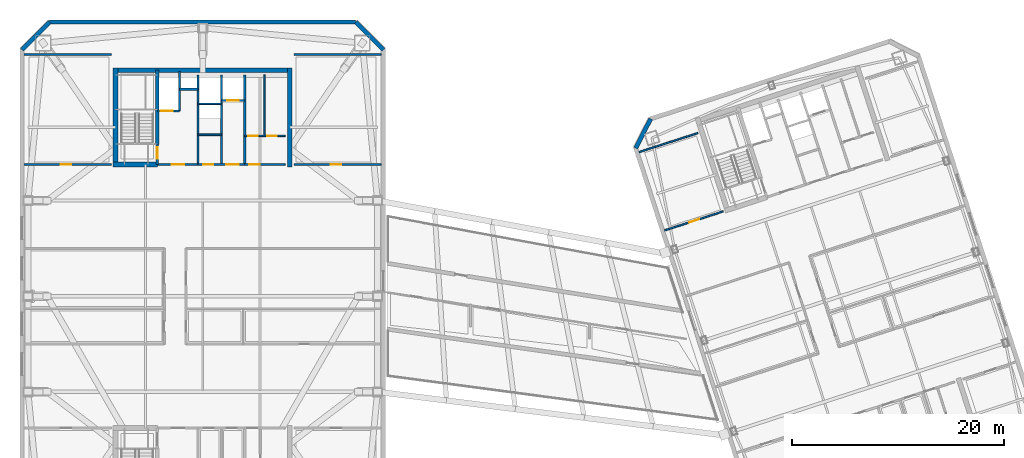
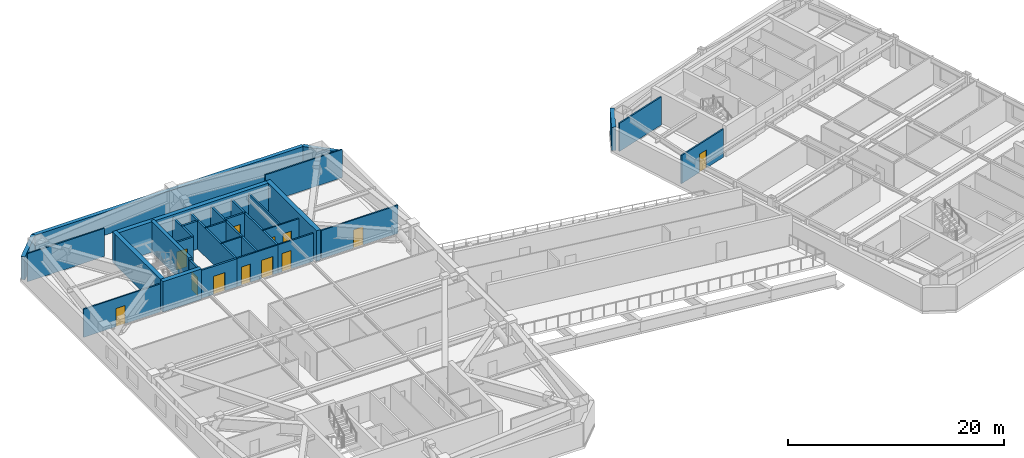
# One storey, part 8 of 18: 30 walls, 12 doors, 12 openings.
"""IFC4 building model written with IfcOpenShell, lengths in metres."""

from ifc_helpers import new_model, si_unit, direction, frame, frame_2d, origin, place, context, subcontext, project, spatial, rectangle, extrude, material, layer, layer_set, type_object, element, fill, save


model = new_model("IFC4")

# Units and contexts
model_context = context("Model", 3, precision=1e-05, world=origin(), true_north=direction((0.0, 1.0)))
body_context = subcontext(model_context, "Body", "Model", "MODEL_VIEW")
ifc_project = project(units=[si_unit("LENGTHUNIT", "METRE"), si_unit("AREAUNIT", "SQUARE_METRE"), si_unit("VOLUMEUNIT", "CUBIC_METRE"), si_unit("PLANEANGLEUNIT", "RADIAN"), si_unit("MASSUNIT", "GRAM", prefix="KILO")], contexts=[model_context])

# Site, building, storey
site_placement = place(None, origin())
site = spatial("IfcSite", under=ifc_project, at=site_placement, CompositionType="ELEMENT")
building_placement = place(site_placement, origin())
building = spatial("IfcBuilding", under=site, at=building_placement, Name="Qiaolan Cultural Towers", CompositionType="ELEMENT")
storey_placement = place(building_placement, frame((0.0, 0.0, 219.64990234375)))
storey = spatial("IfcBuildingStorey", under=building, at=storey_placement, Name="L59", CompositionType="ELEMENT", Elevation=219.64990234375)

# Walls
ifc_material_1 = material(Name="Concrete C50", Category="concrete")
ifc_layer_1 = layer(ifc_material_1, 0.35009765625)
ifc_layer_set_1 = layer_set([ifc_layer_1], Name="Concrete C50")
wall_type_1 = type_object("IfcWallType", Name="WL-CORE-350", PredefinedType="SHEAR", material=ifc_layer_set_1)
wall_1_placement = place(storey_placement, frame((25.719970703125, 48.300048828125, 0.0), z_axis=(0.0, 0.0, 1.0), x_axis=(0.0, 1.0, 0.0)))
element("IfcWall", 1, at=wall_1_placement, inside=storey, type_object=wall_type_1, Name="L59 T1-CN Stair Core Dividing Web", PredefinedType="SHEAR", context=body_context, shape_type="SweptSolid", body=[
    extrude(rectangle(XDim=6.97998046875, YDim=0.35009765625, at=frame_2d((3.489990234375, 0.0))), origin(), (0.0, 0.0, 1.0), 3.4501953125),
])
ifc_material_2 = material(Name="Concrete C50", Category="concrete")
ifc_layer_2 = layer(ifc_material_2, 0.449951171875)
ifc_layer_set_2 = layer_set([ifc_layer_2], Name="Concrete C50")
wall_type_2 = type_object("IfcWallType", Name="WL-CORE-450", PredefinedType="SHEAR", material=ifc_layer_set_2)
wall_2_placement = place(storey_placement, frame((21.574951171875, 55.280029296875, 0.0), z_axis=(0.0, 0.0, 1.0), x_axis=(1.0, 0.0, 0.0)))
element("IfcWall", 2, at=wall_2_placement, inside=storey, type_object=wall_type_2, Name="L59 T1-CN Outer Core Shear Wall", PredefinedType="SHEAR", context=body_context, shape_type="SweptSolid", body=[
    extrude(rectangle(XDim=16.85009765625, YDim=0.449951171875, at=frame_2d((8.425048828125, 0.0))), origin(), (0.0, 0.0, 1.0), 3.4501953125),
])
for number, where, z_axis, x_axis, name in (
    (3, (21.800048828125, 46.175048828125, 0.0), (0.0, 0.0, 1.0), (0.0, 1.0, 0.0), "L59 T1-CN West Core Shear Wall"),
    (4, (38.199951171875, 46.175048828125, 0.0), (0.0, 0.0, 1.0), (0.0, 1.0, 0.0), "L59 T1-CN East Core Shear Wall"),
):
    element("IfcWall", number, at=place(storey_placement, frame(where, z_axis=z_axis, x_axis=x_axis)), inside=storey, type_object=wall_type_2, Name=name, PredefinedType="SHEAR", context=body_context, shape_type="SweptSolid", body=[
        extrude(rectangle(XDim=9.329833984375, YDim=0.449951171875, at=frame_2d((4.6650390625, 0.0))), origin(), (0.0, 0.0, 1.0), 3.4501953125),
    ])
wall_3_placement = place(storey_placement, frame((21.574951171875, 46.39990234375, 0.0), z_axis=(0.0, 0.0, 1.0), x_axis=(1.0, 0.0, 0.0)))
element("IfcWall", 5, at=wall_3_placement, inside=storey, type_object=wall_type_2, Name="L59 T1-CN Stair Front Shear Wall", PredefinedType="SHEAR", context=body_context, shape_type="SweptSolid", body=[
    extrude(rectangle(XDim=4.14501953125, YDim=0.449951171875, at=frame_2d((2.072509765625, 0.0))), origin(), (0.0, 0.0, 1.0), 3.4501953125),
])
ifc_material_3 = material(Name="Precast Concrete C50 Honed Stone Pier", Category="masonry")
ifc_layer_3 = layer(ifc_material_3, 0.39990234375)
ifc_layer_set_3 = layer_set([ifc_layer_3], Name="Precast Concrete C50 Honed Stone Pier")
wall_type_3 = type_object("IfcWallType", Name="WL-EXT-PIER-400", PredefinedType="SOLIDWALL", material=ifc_layer_set_3)
wall_4_placement = place(storey_placement, frame((13.0, 57.199951171875, 0.0), z_axis=(0.0, 0.0, 1.0), x_axis=(0.707106781187, 0.707106781187, 0.0)))
element("IfcWall", 6, at=wall_4_placement, inside=storey, type_object=wall_type_3, Name="L59 West Tower Precast Pier Facade Wall F2", PredefinedType="SOLIDWALL", context=body_context, shape_type="SweptSolid", body=[
    extrude(rectangle(XDim=3.677001953125, YDim=0.39990234375, at=frame_2d((1.83837890625, 0.0))), origin(), (0.0, 0.0, 1.0), 2.610107421875),
])
wall_5_placement = place(storey_placement, frame((15.60009765625, 59.800048828125, 0.0), z_axis=(0.0, 0.0, 1.0), x_axis=(1.0, 0.0, 0.0)))
element("IfcWall", 7, at=wall_5_placement, inside=storey, type_object=wall_type_3, Name="L59 West Tower Precast Pier Facade Wall F3", PredefinedType="SOLIDWALL", context=body_context, shape_type="SweptSolid", body=[
    extrude(rectangle(XDim=28.7998046875, YDim=0.39990234375, at=frame_2d((14.39990234375, 0.0))), origin(), (0.0, 0.0, 1.0), 2.610107421875),
])
wall_6_placement = place(storey_placement, frame((44.39990234375, 59.800048828125, 0.0), z_axis=(0.0, 0.0, 1.0), x_axis=(0.707106781187, -0.707106781187, 0.0)))
element("IfcWall", 8, at=wall_6_placement, inside=storey, type_object=wall_type_3, Name="L59 West Tower Precast Pier Facade Wall F4", PredefinedType="SOLIDWALL", context=body_context, shape_type="SweptSolid", body=[
    extrude(rectangle(XDim=3.677001953125, YDim=0.39990234375, at=frame_2d((1.83837890625, 0.0))), origin(), (0.0, 0.0, 1.0), 2.610107421875),
])
wall_7_placement = place(storey_placement, frame((70.752197265625, 47.93408203125, 0.0), z_axis=(0.0, 0.0, 1.0), x_axis=(0.453949291228, 0.891027519774, 0.0)))
element("IfcWall", 9, at=wall_7_placement, inside=storey, type_object=wall_type_3, Name="L59 East Tower Precast Pier Facade Wall F2", PredefinedType="SOLIDWALL", context=body_context, shape_type="SweptSolid", body=[
    extrude(rectangle(XDim=3.111328125, YDim=0.39990234375, at=frame_2d((1.5556640625, 0.0))), origin(), (0.0, 0.0, 1.0), 2.610107421875),
])

# Wall, opening, door
ifc_material_4 = material(Name="Concrete C35 Fire Wall", Category="concrete")
ifc_layer_4 = layer(ifc_material_4, 0.199951171875)
ifc_layer_set_4 = layer_set([ifc_layer_4], Name="Concrete C35 Fire Wall")
wall_type_4 = type_object("IfcWallType", Name="WL-FIRE-200", PredefinedType="PARTITIONING", material=ifc_layer_set_4)
wall_8_placement = place(storey_placement, frame((25.719970703125, 46.39990234375, 0.0), z_axis=(0.0, 0.0, 1.0), x_axis=(0.0, 1.0, 0.0)))
wall_8 = element("IfcWall", 10, at=wall_8_placement, inside=storey, type_object=wall_type_4, Name="L59 T1-CN Smokeproof Stair Entry Wall", PredefinedType="PARTITIONING", context=body_context, shape_type="SweptSolid", body=[
    extrude(rectangle(XDim=1.900146484375, YDim=0.199951171875, at=frame_2d((0.9501953125, 0.0))), origin(), (0.0, 0.0, 1.0), 3.175048828125),
])
opening_1_placement = place(wall_8_placement, frame((0.52001953125, 0.0, 0.0)))
opening_1 = element("IfcOpeningElement", 11, at=opening_1_placement, cuts=wall_8, Name="Opening FD-04", PredefinedType="OPENING", context=body_context, shape_type="SweptSolid", body=[
    extrude(rectangle(XDim=1.10009765625, YDim=2.050048828125, at=frame_2d((0.550048828125, 1.02490234375))), frame((0.0, 0.10986328125, 0.0), z_axis=(0.0, -1.0, 0.0), x_axis=(1.0, 0.0, 0.0)), (0.0, 0.0, 1.0), 0.219970703125),
])
ifc_material_5 = material(Name="Galvanized Steel Command Fire Door", Category="steel")
door_type_1 = type_object("IfcDoorType", Name="DR-FD90-1100", OperationType="NOTDEFINED", PredefinedType="DOOR", material=ifc_material_5)
door_1_placement = place(opening_1_placement, origin())
door_1 = element("IfcDoor", 12, at=door_1_placement, inside=storey, type_object=door_type_1, Name="L59 ST-W2 Smokeproof Stair Fire Door", OperationType="SINGLE_SWING_LEFT", OverallHeight=2.050048828125, OverallWidth=1.10009765625, PredefinedType="DOOR", context=body_context, shape_type="SweptSolid", body=[
    extrude(rectangle(XDim=1.10009765625, YDim=2.050048828125, at=frame_2d((0.550048828125, 1.02490234375))), frame((0.0, 0.02490234375, 0.0), z_axis=(0.0, -1.0, 0.0), x_axis=(1.0, 0.0, 0.0)), (0.0, 0.0, 1.0), 0.050048828125),
])
fill(opening_1, door_1)

# Wall
wall_9_placement = place(storey_placement, frame((29.550048828125, 46.39990234375, 0.0), z_axis=(0.0, 0.0, 1.0), x_axis=(0.0, 1.0, 0.0)))
element("IfcWall", 13, at=wall_9_placement, inside=storey, type_object=wall_type_4, Name="L59 T1-CN Firefighting Zone Wall", PredefinedType="PARTITIONING", context=body_context, shape_type="SweptSolid", body=[
    extrude(rectangle(XDim=8.43017578125, YDim=0.199951171875, at=frame_2d((4.215087890625, 0.0))), origin(), (0.0, 0.0, 1.0), 3.175048828125),
])

# Wall, opening, door
wall_10_placement = place(storey_placement, frame((25.719970703125, 46.39990234375, 0.0), z_axis=(0.0, 0.0, 1.0), x_axis=(1.0, 0.0, 0.0)))
wall_10 = element("IfcWall", 14, at=wall_10_placement, inside=storey, type_object=wall_type_4, Name="L59 T1-CN Firefighting Lobby Front Wall", PredefinedType="PARTITIONING", context=body_context, shape_type="SweptSolid", body=[
    extrude(rectangle(XDim=3.830078125, YDim=0.199951171875, at=frame_2d((1.9150390625, 0.0))), origin(), (0.0, 0.0, 1.0), 3.175048828125),
])
opening_2_placement = place(wall_10_placement, frame((1.35009765625, 0.0, 0.0)))
opening_2 = element("IfcOpeningElement", 15, at=opening_2_placement, cuts=wall_10, Name="Opening FD-03", PredefinedType="OPENING", context=body_context, shape_type="SweptSolid", body=[
    extrude(rectangle(XDim=1.199951171875, YDim=2.050048828125, at=frame_2d((0.60009765625, 1.02490234375))), frame((0.0, 0.10986328125, 0.0), z_axis=(0.0, -1.0, 0.0), x_axis=(1.0, 0.0, 0.0)), (0.0, 0.0, 1.0), 0.219970703125),
])
ifc_material_6 = material(Name="Galvanized Steel Smokeproof Lobby Fire Door", Category="steel")
door_type_2 = type_object("IfcDoorType", Name="DR-FD90-1200", OperationType="NOTDEFINED", PredefinedType="DOOR", material=ifc_material_6)
door_2_placement = place(opening_2_placement, origin())
door_2 = element("IfcDoor", 16, at=door_2_placement, inside=storey, type_object=door_type_2, Name="L59 FFL-W2 Firefighting Lobby Fire Door", OperationType="SINGLE_SWING_LEFT", OverallHeight=2.050048828125, OverallWidth=1.199951171875, PredefinedType="DOOR", context=body_context, shape_type="SweptSolid", body=[
    extrude(rectangle(XDim=1.199951171875, YDim=2.050048828125, at=frame_2d((0.60009765625, 1.02490234375))), frame((0.0, 0.02490234375, 0.0), z_axis=(0.0, -1.0, 0.0), x_axis=(1.0, 0.0, 0.0)), (0.0, 0.0, 1.0), 0.050048828125),
])
fill(opening_2, door_2)

wall_11_placement = place(storey_placement, frame((25.719970703125, 51.449951171875, 0.0), z_axis=(0.0, 0.0, 1.0), x_axis=(1.0, 0.0, 0.0)))
wall_11 = element("IfcWall", 17, at=wall_11_placement, inside=storey, type_object=wall_type_4, Name="L59 T1-CN Firefighting Shaft Front Wall", PredefinedType="PARTITIONING", context=body_context, shape_type="SweptSolid", body=[
    extrude(rectangle(XDim=2.10009765625, YDim=0.199951171875, at=frame_2d((1.050048828125, 0.0))), origin(), (0.0, 0.0, 1.0), 3.175048828125),
])
opening_3_placement = place(wall_11_placement, frame((0.35009765625, 0.0, 0.0)))
opening_3 = element("IfcOpeningElement", 18, at=opening_3_placement, cuts=wall_11, Name="Opening LD-01", PredefinedType="OPENING", context=body_context, shape_type="SweptSolid", body=[
    extrude(rectangle(XDim=1.10009765625, YDim=2.050048828125, at=frame_2d((0.550048828125, 1.02490234375))), frame((0.0, 0.10986328125, 0.0), z_axis=(0.0, -1.0, 0.0), x_axis=(1.0, 0.0, 0.0)), (0.0, 0.0, 1.0), 0.219970703125),
])
ifc_material_7 = material(Name="Brushed Stainless Steel S30408 Centre-Parting Lift Landing Door", Category="steel")
door_type_3 = type_object("IfcDoorType", Name="DR-LIFT-1100", OperationType="NOTDEFINED", PredefinedType="DOOR", material=ifc_material_7)
door_3_placement = place(opening_3_placement, origin())
door_3 = element("IfcDoor", 19, at=door_3_placement, inside=storey, type_object=door_type_3, Name="L59 FFL-W2 Firefighting Lift Landing Door", OperationType="DOUBLE_DOOR_SLIDING", OverallHeight=2.050048828125, OverallWidth=1.10009765625, PredefinedType="DOOR", context=body_context, shape_type="SweptSolid", body=[
    extrude(rectangle(XDim=1.10009765625, YDim=2.050048828125, at=frame_2d((0.550048828125, 1.02490234375))), frame((0.0, 0.02490234375, 0.0), z_axis=(0.0, -1.0, 0.0), x_axis=(1.0, 0.0, 0.0)), (0.0, 0.0, 1.0), 0.050048828125),
])
fill(opening_3, door_3)

# Walls
wall_12_placement = place(storey_placement, frame((27.820068359375, 51.449951171875, 0.0), z_axis=(0.0, 0.0, 1.0), x_axis=(0.0, 1.0, 0.0)))
element("IfcWall", 20, at=wall_12_placement, inside=storey, type_object=wall_type_4, Name="L59 T1-CN Firefighting Hoistway East Wall", PredefinedType="PARTITIONING", context=body_context, shape_type="SweptSolid", body=[
    extrude(rectangle(XDim=3.699951171875, YDim=0.199951171875, at=frame_2d((1.85009765625, 0.0))), origin(), (0.0, 0.0, 1.0), 3.175048828125),
])
wall_13_placement = place(storey_placement, frame((27.820068359375, 53.47998046875, 0.0), z_axis=(0.0, 0.0, 1.0), x_axis=(1.0, 0.0, 0.0)))
element("IfcWall", 21, at=wall_13_placement, inside=storey, type_object=wall_type_4, Name="L59 T1-CN Pressurization Shaft Front Wall", PredefinedType="PARTITIONING", context=body_context, shape_type="SweptSolid", body=[
    extrude(rectangle(XDim=1.72998046875, YDim=0.199951171875, at=frame_2d((0.864990234375, 0.0))), origin(), (0.0, 0.0, 1.0), 3.175048828125),
])
for number, where, z_axis, x_axis, name in (
    (22, (33.949951171875, 46.39990234375, 0.0), (0.0, 0.0, 1.0), (0.0, 1.0, 0.0), "L59 T1-CN Lift Core East Wall"),
    (23, (31.780029296875, 46.39990234375, 0.0), (0.0, 0.0, 1.0), (0.0, 1.0, 0.0), "L59 T1-CN Sky Shuttle Lift Zone Wall"),
):
    element("IfcWall", number, at=place(storey_placement, frame(where, z_axis=z_axis, x_axis=x_axis)), inside=storey, type_object=wall_type_4, Name=name, PredefinedType="PARTITIONING", context=body_context, shape_type="SweptSolid", body=[
        extrude(rectangle(XDim=8.43017578125, YDim=0.199951171875, at=frame_2d((4.215087890625, 0.0))), origin(), (0.0, 0.0, 1.0), 3.175048828125),
    ])

# Wall, opening, door
wall_14_placement = place(storey_placement, frame((31.780029296875, 52.419921875, 0.0), z_axis=(0.0, 0.0, 1.0), x_axis=(1.0, 0.0, 0.0)))
wall_14 = element("IfcWall", 24, at=wall_14_placement, inside=storey, type_object=wall_type_4, Name="L59 T1-CN Shuttle Lift Shaft Front", PredefinedType="PARTITIONING", context=body_context, shape_type="SweptSolid", body=[
    extrude(rectangle(XDim=2.169921875, YDim=0.199951171875, at=frame_2d((1.0849609375, 0.0))), origin(), (0.0, 0.0, 1.0), 3.175048828125),
])
opening_4_placement = place(wall_14_placement, frame((0.52001953125, 0.0, 0.0)))
opening_4 = element("IfcOpeningElement", 25, at=opening_4_placement, cuts=wall_14, Name="Opening LD-01", PredefinedType="OPENING", context=body_context, shape_type="SweptSolid", body=[
    extrude(rectangle(XDim=1.10009765625, YDim=2.050048828125, at=frame_2d((0.550048828125, 1.02490234375))), frame((0.0, 0.10986328125, 0.0), z_axis=(0.0, -1.0, 0.0), x_axis=(1.0, 0.0, 0.0)), (0.0, 0.0, 1.0), 0.219970703125),
])
door_4_placement = place(opening_4_placement, origin())
door_4 = element("IfcDoor", 26, at=door_4_placement, inside=storey, type_object=door_type_3, Name="L59 Sky Shuttle Lift Landing Door", OperationType="DOUBLE_DOOR_SLIDING", OverallHeight=2.050048828125, OverallWidth=1.10009765625, PredefinedType="DOOR", context=body_context, shape_type="SweptSolid", body=[
    extrude(rectangle(XDim=1.10009765625, YDim=2.050048828125, at=frame_2d((0.550048828125, 1.02490234375))), frame((0.0, 0.02490234375, 0.0), z_axis=(0.0, -1.0, 0.0), x_axis=(1.0, 0.0, 0.0)), (0.0, 0.0, 1.0), 0.050048828125),
])
fill(opening_4, door_4)

# Wall, openings, doors
ifc_material_8 = material(Name="Autoclaved Aerated Concrete Block B06", Category="concrete")
ifc_layer_5 = layer(ifc_material_8, 0.14990234375)
ifc_layer_set_5 = layer_set([ifc_layer_5], Name="Autoclaved Aerated Concrete Block B06")
wall_type_5 = type_object("IfcWallType", Name="WL-PART-150", PredefinedType="PARTITIONING", material=ifc_layer_set_5)
wall_15_placement = place(storey_placement, frame((29.550048828125, 46.39990234375, 0.0), z_axis=(0.0, 0.0, 1.0), x_axis=(1.0, 0.0, 0.0)))
wall_15 = element("IfcWall", 27, at=wall_15_placement, inside=storey, type_object=wall_type_5, Name="L59 T1-CN High-Zone Lift Lobby Wall", PredefinedType="PARTITIONING", context=body_context, shape_type="SweptSolid", body=[
    extrude(rectangle(XDim=4.39990234375, YDim=0.14990234375, at=frame_2d((2.199951171875, 0.0))), origin(), (0.0, 0.0, 1.0), 3.175048828125),
])
opening_5_placement = place(wall_15_placement, frame((0.5, 0.0, 0.0)))
opening_5 = element("IfcOpeningElement", 28, at=opening_5_placement, cuts=wall_15, Name="Opening ID-05", PredefinedType="OPENING", context=body_context, shape_type="SweptSolid", body=[
    extrude(rectangle(XDim=0.949951171875, YDim=2.050048828125, at=frame_2d((0.47509765625, 1.02490234375))), frame((0.0, 0.0849609375, 0.0), z_axis=(0.0, -1.0, 0.0), x_axis=(1.0, 0.0, 0.0)), (0.0, 0.0, 1.0), 0.169921875),
])
opening_6_placement = place(wall_15_placement, frame((2.64990234375, 0.0, 0.0)))
opening_6 = element("IfcOpeningElement", 29, at=opening_6_placement, cuts=wall_15, Name="Opening FD-06", PredefinedType="OPENING", context=body_context, shape_type="SweptSolid", body=[
    extrude(rectangle(XDim=1.199951171875, YDim=2.050048828125, at=frame_2d((0.60009765625, 1.02490234375))), frame((0.0, 0.0849609375, 0.0), z_axis=(0.0, -1.0, 0.0), x_axis=(1.0, 0.0, 0.0)), (0.0, 0.0, 1.0), 0.169921875),
])
ifc_material_9 = material(Name="Painted Steel Plant Fire Door", Category="steel")
door_type_4 = type_object("IfcDoorType", Name="DR-FD60-1200", OperationType="NOTDEFINED", PredefinedType="DOOR", material=ifc_material_9)
door_5_placement = place(opening_6_placement, origin())
door_5 = element("IfcDoor", 30, at=door_5_placement, inside=storey, type_object=door_type_4, Name="L59 Sky Shuttle Lift Lobby Door", OperationType="SINGLE_SWING_RIGHT", OverallHeight=2.050048828125, OverallWidth=1.199951171875, PredefinedType="DOOR", context=body_context, shape_type="SweptSolid", body=[
    extrude(rectangle(XDim=1.199951171875, YDim=2.050048828125, at=frame_2d((0.60009765625, 1.02490234375))), frame((0.0, 0.02490234375, 0.0), z_axis=(0.0, -1.0, 0.0), x_axis=(1.0, 0.0, 0.0)), (0.0, 0.0, 1.0), 0.050048828125),
])
fill(opening_6, door_5)
ifc_material_10 = material(Name="Fire-Rated Laminate Accessible Core Door", Category="timber")
door_type_5 = type_object("IfcDoorType", Name="DR-INT-950", OperationType="NOTDEFINED", PredefinedType="DOOR", material=ifc_material_10)
door_6_placement = place(opening_5_placement, origin())
door_6 = element("IfcDoor", 31, at=door_6_placement, inside=storey, type_object=door_type_5, Name="L59 Reclaimed Server Room Door", OperationType="SINGLE_SWING_LEFT", OverallHeight=2.050048828125, OverallWidth=0.949951171875, PredefinedType="DOOR", context=body_context, shape_type="SweptSolid", body=[
    extrude(rectangle(XDim=0.949951171875, YDim=2.050048828125, at=frame_2d((0.47509765625, 1.02490234375))), frame((0.0, 0.02490234375, 0.0), z_axis=(0.0, -1.0, 0.0), x_axis=(1.0, 0.0, 0.0)), (0.0, 0.0, 1.0), 0.050048828125),
])
fill(opening_5, door_6)

# Walls
for number, where, z_axis, x_axis, name in (
    (32, (29.550048828125, 49.199951171875, 0.0), (0.0, 0.0, 1.0), (1.0, 0.0, 0.0), "L59 T1-CN High-Zone Reclaimed Split 1"),
    (33, (29.550048828125, 52.10009765625, 0.0), (0.0, 0.0, 1.0), (1.0, 0.0, 0.0), "L59 T1-CN High-Zone Reclaimed Split 2"),
):
    element("IfcWall", number, at=place(storey_placement, frame(where, z_axis=z_axis, x_axis=x_axis)), inside=storey, type_object=wall_type_5, Name=name, PredefinedType="PARTITIONING", context=body_context, shape_type="SweptSolid", body=[
        extrude(rectangle(XDim=2.22998046875, YDim=0.14990234375, at=frame_2d((1.114990234375, 0.0))), origin(), (0.0, 0.0, 1.0), 3.175048828125),
    ])

# Wall, opening, door
wall_16_placement = place(storey_placement, frame((33.949951171875, 46.39990234375, 0.0), z_axis=(0.0, 0.0, 1.0), x_axis=(1.0, 0.0, 0.0)))
wall_16 = element("IfcWall", 34, at=wall_16_placement, inside=storey, type_object=wall_type_5, Name="L59 T1-CN Sanitary Core Front Wall", PredefinedType="PARTITIONING", context=body_context, shape_type="SweptSolid", body=[
    extrude(rectangle(XDim=3.800048828125, YDim=0.14990234375, at=frame_2d((1.89990234375, 0.0))), origin(), (0.0, 0.0, 1.0), 3.175048828125),
])
opening_7_placement = place(wall_16_placement, frame((0.449951171875, 0.0, 0.0)))
opening_7 = element("IfcOpeningElement", 35, at=opening_7_placement, cuts=wall_16, Name="Opening ID-05", PredefinedType="OPENING", context=body_context, shape_type="SweptSolid", body=[
    extrude(rectangle(XDim=0.949951171875, YDim=2.050048828125, at=frame_2d((0.47509765625, 1.02490234375))), frame((0.0, 0.0849609375, 0.0), z_axis=(0.0, -1.0, 0.0), x_axis=(1.0, 0.0, 0.0)), (0.0, 0.0, 1.0), 0.169921875),
])
door_7_placement = place(opening_7_placement, origin())
door_7 = element("IfcDoor", 36, at=door_7_placement, inside=storey, type_object=door_type_5, Name="L59 Sanitary Vestibule Door", OperationType="SINGLE_SWING_LEFT", OverallHeight=2.050048828125, OverallWidth=0.949951171875, PredefinedType="DOOR", context=body_context, shape_type="SweptSolid", body=[
    extrude(rectangle(XDim=0.949951171875, YDim=2.050048828125, at=frame_2d((0.47509765625, 1.02490234375))), frame((0.0, 0.02490234375, 0.0), z_axis=(0.0, -1.0, 0.0), x_axis=(1.0, 0.0, 0.0)), (0.0, 0.0, 1.0), 0.050048828125),
])
fill(opening_7, door_7)

# Wall, openings, doors
wall_17_placement = place(storey_placement, frame((33.949951171875, 49.10009765625, 0.0), z_axis=(0.0, 0.0, 1.0), x_axis=(1.0, 0.0, 0.0)))
wall_17 = element("IfcWall", 37, at=wall_17_placement, inside=storey, type_object=wall_type_5, Name="L59 T1-CN Restroom Vestibule Wall", PredefinedType="PARTITIONING", context=body_context, shape_type="SweptSolid", body=[
    extrude(rectangle(XDim=3.800048828125, YDim=0.14990234375, at=frame_2d((1.89990234375, 0.0))), origin(), (0.0, 0.0, 1.0), 3.175048828125),
])
opening_8_placement = place(wall_17_placement, frame((0.35009765625, 0.0, 0.0)))
opening_8 = element("IfcOpeningElement", 38, at=opening_8_placement, cuts=wall_17, Name="Opening ID-06", PredefinedType="OPENING", context=body_context, shape_type="SweptSolid", body=[
    extrude(rectangle(XDim=0.89990234375, YDim=2.050048828125, at=frame_2d((0.449951171875, 1.02490234375))), frame((0.0, 0.0849609375, 0.0), z_axis=(0.0, -1.0, 0.0), x_axis=(1.0, 0.0, 0.0)), (0.0, 0.0, 1.0), 0.169921875),
])
opening_9_placement = place(wall_17_placement, frame((2.10009765625, 0.0, 0.0)))
opening_9 = element("IfcOpeningElement", 39, at=opening_9_placement, cuts=wall_17, Name="Opening ID-06", PredefinedType="OPENING", context=body_context, shape_type="SweptSolid", body=[
    extrude(rectangle(XDim=0.89990234375, YDim=2.050048828125, at=frame_2d((0.449951171875, 1.02490234375))), frame((0.0, 0.0849609375, 0.0), z_axis=(0.0, -1.0, 0.0), x_axis=(1.0, 0.0, 0.0)), (0.0, 0.0, 1.0), 0.169921875),
])
ifc_material_11 = material(Name="Fire-Rated Laminate Core Service Door", Category="timber")
door_type_6 = type_object("IfcDoorType", Name="DR-INT-900", OperationType="NOTDEFINED", PredefinedType="DOOR", material=ifc_material_11)
door_8_placement = place(opening_8_placement, origin())
door_8 = element("IfcDoor", 40, at=door_8_placement, inside=storey, type_object=door_type_6, Name="L59 Men Restroom Door", OperationType="SINGLE_SWING_LEFT", OverallHeight=2.050048828125, OverallWidth=0.89990234375, PredefinedType="DOOR", context=body_context, shape_type="SweptSolid", body=[
    extrude(rectangle(XDim=0.89990234375, YDim=2.050048828125, at=frame_2d((0.449951171875, 1.02490234375))), frame((0.0, 0.02490234375, 0.0), z_axis=(0.0, -1.0, 0.0), x_axis=(1.0, 0.0, 0.0)), (0.0, 0.0, 1.0), 0.050048828125),
])
fill(opening_8, door_8)
door_9_placement = place(opening_9_placement, origin())
door_9 = element("IfcDoor", 41, at=door_9_placement, inside=storey, type_object=door_type_6, Name="L59 Accessible & Women Restroom Door", OperationType="SINGLE_SWING_RIGHT", OverallHeight=2.050048828125, OverallWidth=0.89990234375, PredefinedType="DOOR", context=body_context, shape_type="SweptSolid", body=[
    extrude(rectangle(XDim=0.89990234375, YDim=2.050048828125, at=frame_2d((0.449951171875, 1.02490234375))), frame((0.0, 0.02490234375, 0.0), z_axis=(0.0, -1.0, 0.0), x_axis=(1.0, 0.0, 0.0)), (0.0, 0.0, 1.0), 0.050048828125),
])
fill(opening_9, door_9)

# Walls
wall_18_placement = place(storey_placement, frame((35.800048828125, 49.10009765625, 0.0), z_axis=(0.0, 0.0, 1.0), x_axis=(0.0, 1.0, 0.0)))
element("IfcWall", 42, at=wall_18_placement, inside=storey, type_object=wall_type_5, Name="L59 T1-CN Restroom Divider Wall", PredefinedType="PARTITIONING", context=body_context, shape_type="SweptSolid", body=[
    extrude(rectangle(XDim=5.72998046875, YDim=0.14990234375, at=frame_2d((2.864990234375, 0.0))), origin(), (0.0, 0.0, 1.0), 3.175048828125),
])
wall_19_placement = place(storey_placement, frame((13.199951171875, 56.75, 0.0), z_axis=(0.0, 0.0, 1.0), x_axis=(1.0, 0.0, 0.0)))
element("IfcWall", 43, at=wall_19_placement, inside=storey, type_object=wall_type_5, Name="L59 T1 Flank Wall FLK-NW", PredefinedType="PARTITIONING", context=body_context, shape_type="SweptSolid", body=[
    extrude(rectangle(XDim=8.199951171875, YDim=0.14990234375, at=frame_2d((4.10009765625, 0.0))), origin(), (0.0, 0.0, 1.0), 3.175048828125),
])

# Wall, opening, door
wall_20_placement = place(storey_placement, frame((13.199951171875, 46.39990234375, 0.0), z_axis=(0.0, 0.0, 1.0), x_axis=(1.0, 0.0, 0.0)))
wall_20 = element("IfcWall", 44, at=wall_20_placement, inside=storey, type_object=wall_type_5, Name="L59 T1 Flank Front FLK-NW", PredefinedType="PARTITIONING", context=body_context, shape_type="SweptSolid", body=[
    extrude(rectangle(XDim=8.199951171875, YDim=0.14990234375, at=frame_2d((4.10009765625, 0.0))), origin(), (0.0, 0.0, 1.0), 3.175048828125),
])
opening_10_placement = place(wall_20_placement, frame((3.444091796875, 0.0, 0.0)))
opening_10 = element("IfcOpeningElement", 45, at=opening_10_placement, cuts=wall_20, Name="Opening ID-04", PredefinedType="OPENING", context=body_context, shape_type="SweptSolid", body=[
    extrude(rectangle(XDim=1.0, YDim=2.050048828125, at=frame_2d((0.5, 1.02490234375))), frame((0.0, 0.0849609375, 0.0), z_axis=(0.0, -1.0, 0.0), x_axis=(1.0, 0.0, 0.0)), (0.0, 0.0, 1.0), 0.169921875),
])
ifc_material_12 = material(Name="Oak Veneer Acoustic Office Door", Category="timber")
door_type_7 = type_object("IfcDoorType", Name="DR-INT-1000", OperationType="NOTDEFINED", PredefinedType="DOOR", material=ifc_material_12)
door_10_placement = place(opening_10_placement, origin())
door_10 = element("IfcDoor", 46, at=door_10_placement, inside=storey, type_object=door_type_7, Name="L59 T1 Corner Studio Door", OperationType="SINGLE_SWING_LEFT", OverallHeight=2.050048828125, OverallWidth=1.0, PredefinedType="DOOR", context=body_context, shape_type="SweptSolid", body=[
    extrude(rectangle(XDim=1.0, YDim=2.050048828125, at=frame_2d((0.5, 1.02490234375))), frame((0.0, 0.02490234375, 0.0), z_axis=(0.0, -1.0, 0.0), x_axis=(1.0, 0.0, 0.0)), (0.0, 0.0, 1.0), 0.050048828125),
])
fill(opening_10, door_10)

# Wall
wall_21_placement = place(storey_placement, frame((38.60009765625, 56.75, 0.0), z_axis=(0.0, 0.0, 1.0), x_axis=(1.0, 0.0, 0.0)))
element("IfcWall", 47, at=wall_21_placement, inside=storey, type_object=wall_type_5, Name="L59 T1 Flank Wall FLK-NE", PredefinedType="PARTITIONING", context=body_context, shape_type="SweptSolid", body=[
    extrude(rectangle(XDim=8.199951171875, YDim=0.14990234375, at=frame_2d((4.10009765625, 0.0))), origin(), (0.0, 0.0, 1.0), 3.175048828125),
])

# Wall, opening, door
wall_22_placement = place(storey_placement, frame((38.60009765625, 46.39990234375, 0.0), z_axis=(0.0, 0.0, 1.0), x_axis=(1.0, 0.0, 0.0)))
wall_22 = element("IfcWall", 48, at=wall_22_placement, inside=storey, type_object=wall_type_5, Name="L59 T1 Flank Front FLK-NE", PredefinedType="PARTITIONING", context=body_context, shape_type="SweptSolid", body=[
    extrude(rectangle(XDim=8.199951171875, YDim=0.14990234375, at=frame_2d((4.10009765625, 0.0))), origin(), (0.0, 0.0, 1.0), 3.175048828125),
])
opening_11_placement = place(wall_22_placement, frame((3.444091796875, 0.0, 0.0)))
opening_11 = element("IfcOpeningElement", 49, at=opening_11_placement, cuts=wall_22, Name="Opening ID-04", PredefinedType="OPENING", context=body_context, shape_type="SweptSolid", body=[
    extrude(rectangle(XDim=1.0, YDim=2.050048828125, at=frame_2d((0.5, 1.02490234375))), frame((0.0, 0.0849609375, 0.0), z_axis=(0.0, -1.0, 0.0), x_axis=(1.0, 0.0, 0.0)), (0.0, 0.0, 1.0), 0.169921875),
])
door_11_placement = place(opening_11_placement, origin())
door_11 = element("IfcDoor", 50, at=door_11_placement, inside=storey, type_object=door_type_7, Name="L59 T1 Corner Studio Door", OperationType="SINGLE_SWING_LEFT", OverallHeight=2.050048828125, OverallWidth=1.0, PredefinedType="DOOR", context=body_context, shape_type="SweptSolid", body=[
    extrude(rectangle(XDim=1.0, YDim=2.050048828125, at=frame_2d((0.5, 1.02490234375))), frame((0.0, 0.02490234375, 0.0), z_axis=(0.0, -1.0, 0.0), x_axis=(1.0, 0.0, 0.0)), (0.0, 0.0, 1.0), 0.050048828125),
])
fill(opening_11, door_11)

# Wall
wall_23_placement = place(storey_placement, frame((71.081298828125, 47.56787109375, 0.0), z_axis=(0.0, 0.0, 1.0), x_axis=(0.951059431056, 0.309008023519, 0.0)))
element("IfcWall", 51, at=wall_23_placement, inside=storey, type_object=wall_type_5, Name="L59 T2 Flank Wall FLK-NW", PredefinedType="PARTITIONING", context=body_context, shape_type="SweptSolid", body=[
    extrude(rectangle(XDim=5.800048828125, YDim=0.14990234375, at=frame_2d((2.89990234375, 0.0))), origin(), (0.0, 0.0, 1.0), 3.175048828125),
])

# Wall, opening, door
wall_24_placement = place(storey_placement, frame((73.476318359375, 40.197265625, 0.0), z_axis=(0.0, 0.0, 1.0), x_axis=(0.951059431056, 0.309008023519, 0.0)))
wall_24 = element("IfcWall", 52, at=wall_24_placement, inside=storey, type_object=wall_type_5, Name="L59 T2 Flank Front FLK-NW", PredefinedType="PARTITIONING", context=body_context, shape_type="SweptSolid", body=[
    extrude(rectangle(XDim=5.800048828125, YDim=0.14990234375, at=frame_2d((2.89990234375, 0.0))), origin(), (0.0, 0.0, 1.0), 3.175048828125),
])
opening_12_placement = place(wall_24_placement, frame((2.43603515625, 0.0, 0.0)))
opening_12 = element("IfcOpeningElement", 53, at=opening_12_placement, cuts=wall_24, Name="Opening ID-04", PredefinedType="OPENING", context=body_context, shape_type="SweptSolid", body=[
    extrude(rectangle(XDim=1.0, YDim=2.050048828125, at=frame_2d((0.5, 1.02490234375))), frame((0.0, 0.0849609375, 0.0), z_axis=(0.0, -1.0, 0.0), x_axis=(1.0, 0.0, 0.0)), (0.0, 0.0, 1.0), 0.169921875),
])
door_12_placement = place(opening_12_placement, origin())
door_12 = element("IfcDoor", 54, at=door_12_placement, inside=storey, type_object=door_type_7, Name="L59 T2 Corner Studio Door", OperationType="SINGLE_SWING_LEFT", OverallHeight=2.050048828125, OverallWidth=1.0, PredefinedType="DOOR", context=body_context, shape_type="SweptSolid", body=[
    extrude(rectangle(XDim=1.0, YDim=2.050048828125, at=frame_2d((0.5, 1.02490234375))), frame((0.0, 0.02490234375, 0.0), z_axis=(0.0, -1.0, 0.0), x_axis=(1.0, 0.0, 0.0)), (0.0, 0.0, 1.0), 0.050048828125),
])
fill(opening_12, door_12)

save(model, "model.ifc")
